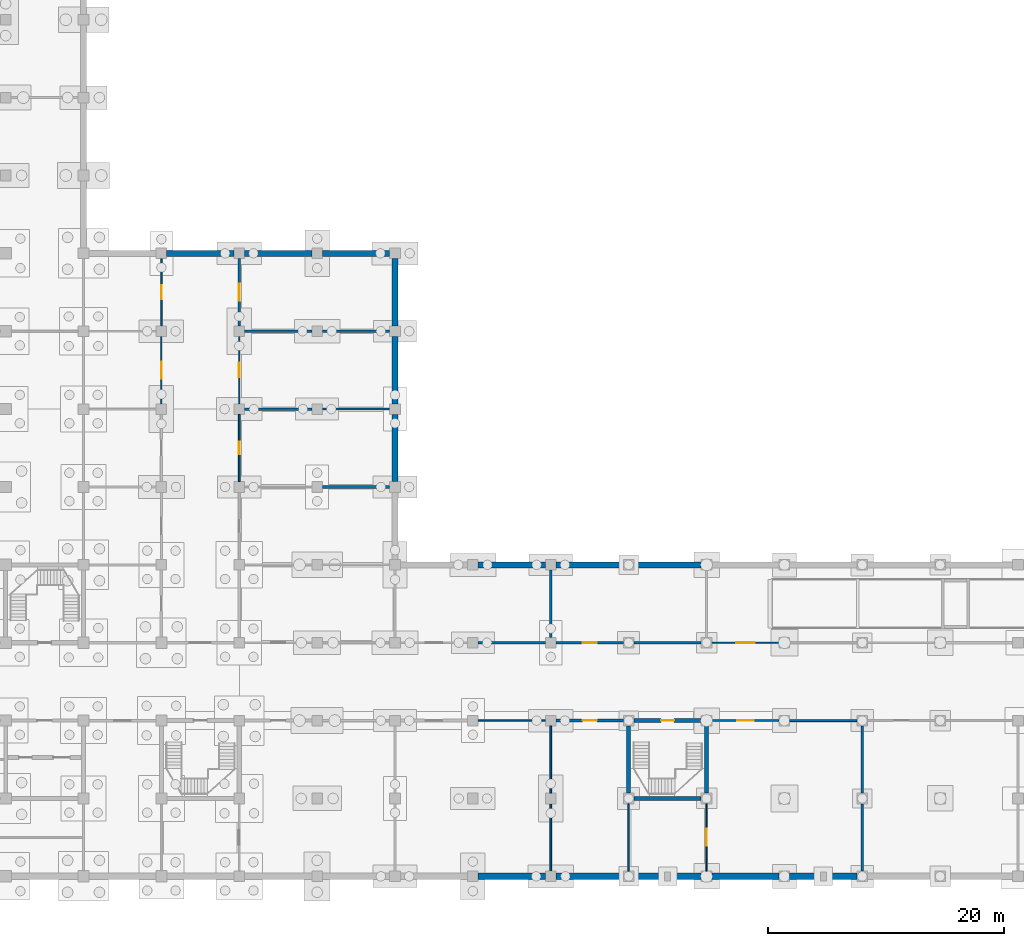
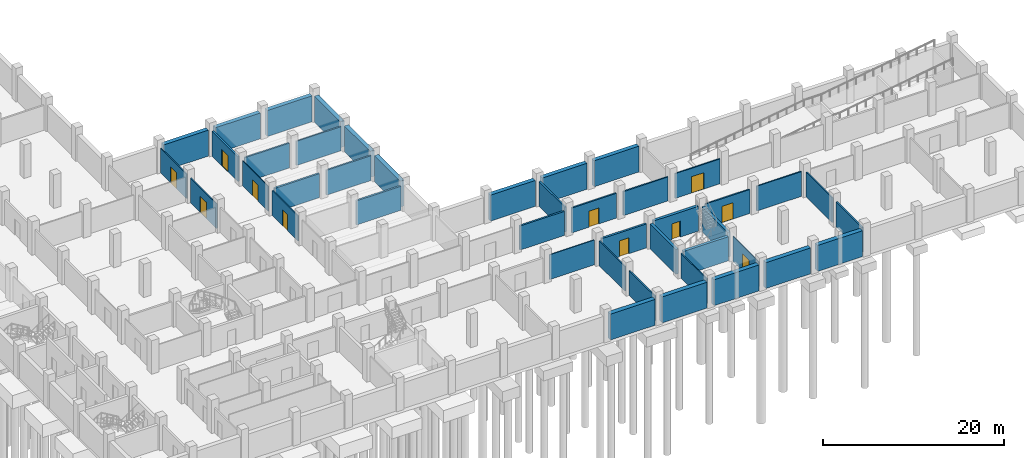
# One storey, part 10 of 18: 43 walls, 11 doors, 11 openings.
"""IFC4 building model written with IfcOpenShell, lengths in metres."""

from ifc_helpers import new_model, si_unit, direction, frame, frame_2d, origin, place, context, subcontext, project, spatial, rectangle, extrude, material, layer, layer_set, type_object, element, fill, save


model = new_model("IFC4")

# Units and contexts
model_context = context("Model", 3, precision=1e-05, world=origin(), true_north=direction((0.0, 1.0)))
body_context = subcontext(model_context, "Body", "Model", "MODEL_VIEW")
ifc_project = project(units=[si_unit("LENGTHUNIT", "METRE"), si_unit("AREAUNIT", "SQUARE_METRE"), si_unit("VOLUMEUNIT", "CUBIC_METRE"), si_unit("PLANEANGLEUNIT", "RADIAN"), si_unit("MASSUNIT", "GRAM", prefix="KILO")], contexts=[model_context])

# Site, building, storey
site_placement = place(None, origin())
site = spatial("IfcSite", under=ifc_project, at=site_placement, CompositionType="ELEMENT")
building_placement = place(site_placement, origin())
building = spatial("IfcBuilding", under=site, at=building_placement, Name="Rusizi Kubbe Research Institute", CompositionType="ELEMENT")
storey_placement = place(building_placement, frame((0.0, 0.0, -4.5)))
storey = spatial("IfcBuildingStorey", under=building, at=storey_placement, Name="B01", CompositionType="ELEMENT", Elevation=-4.5)

# Wall
ifc_material_1 = material(Name="Concrete C45/55", Category="concrete")
ifc_layer_1 = layer(ifc_material_1, 0.35009765625)
ifc_layer_set_1 = layer_set([ifc_layer_1], Name="Concrete C45/55")
wall_type_1 = type_object("IfcWallType", Name="CRW-01", PredefinedType="SHEAR", material=ifc_layer_set_1)
wall_1_placement = place(storey_placement, frame((73.050048828125, 6.60009765625, 0.0), z_axis=(0.0, 0.0, 1.0), x_axis=(1.0, 0.0, 0.0)))
element("IfcWall", 1, at=wall_1_placement, inside=storey, type_object=wall_type_1, Name="Stair Core Shear Wall ST7 B01 S", PredefinedType="SHEAR", context=body_context, shape_type="SweptSolid", body=[
    extrude(rectangle(XDim=5.699951171875, YDim=0.35009765625, at=frame_2d((2.85009765625, 0.0))), origin(), (0.0, 0.0, 1.0), 3.239990234375),
])

# Wall, opening, door
wall_2_placement = place(storey_placement, frame((73.050048828125, 13.199951171875, 0.0), z_axis=(0.0, 0.0, 1.0), x_axis=(1.0, 0.0, 0.0)))
wall_2 = element("IfcWall", 2, at=wall_2_placement, inside=storey, type_object=wall_type_1, Name="Stair Core Shear Wall ST7 B01 N", PredefinedType="SHEAR", context=body_context, shape_type="SweptSolid", body=[
    extrude(rectangle(XDim=5.699951171875, YDim=0.35009765625, at=frame_2d((2.85009765625, 0.0))), origin(), (0.0, 0.0, 1.0), 3.340087890625),
])
opening_1_placement = place(wall_2_placement, frame((2.300048828125, 0.0, 0.0)))
opening_1 = element("IfcOpeningElement", 3, at=opening_1_placement, cuts=wall_2, Name="Opening D-01", PredefinedType="OPENING", context=body_context, shape_type="SweptSolid", body=[
    extrude(rectangle(XDim=1.10009765625, YDim=2.14990234375, at=frame_2d((0.550048828125, 1.074951171875))), frame((0.0, 0.18505859375, 0.0), z_axis=(0.0, -1.0, 0.0), x_axis=(1.0, 0.0, 0.0)), (0.0, 0.0, 1.0), 0.3701171875),
])
ifc_material_2 = material(Name="Fire-Rated Steel Frame and Acoustic Timber Leaf", Category="wood")
door_type_1 = type_object("IfcDoorType", Name="ID-STAIR-110", OperationType="NOTDEFINED", PredefinedType="DOOR", material=ifc_material_2)
door_1_placement = place(opening_1_placement, origin())
door_1 = element("IfcDoor", 4, at=door_1_placement, inside=storey, type_object=door_type_1, Name="Exit Stair Door ST7 B01", OperationType="SINGLE_SWING_LEFT", OverallHeight=2.14990234375, OverallWidth=1.10009765625, PredefinedType="DOOR", context=body_context, shape_type="SweptSolid", body=[
    extrude(rectangle(XDim=1.10009765625, YDim=2.14990234375, at=frame_2d((0.550048828125, 1.074951171875))), frame((0.0, 0.02490234375, 0.0), z_axis=(0.0, -1.0, 0.0), x_axis=(1.0, 0.0, 0.0)), (0.0, 0.0, 1.0), 0.050048828125),
])
fill(opening_1, door_1)

# Walls
for number, where, z_axis, x_axis, name in (
    (5, (72.60009765625, 7.050048828125, 0.0), (0.0, 0.0, 1.0), (0.0, 1.0, 0.0), "Stair Core Shear Wall ST7 B01 W"),
    (6, (79.199951171875, 7.050048828125, 0.0), (0.0, 0.0, 1.0), (0.0, 1.0, 0.0), "Stair Core Shear Wall ST7 B01 E"),
):
    element("IfcWall", number, at=place(storey_placement, frame(where, z_axis=z_axis, x_axis=x_axis)), inside=storey, type_object=wall_type_1, Name=name, PredefinedType="SHEAR", context=body_context, shape_type="SweptSolid", body=[
        extrude(rectangle(XDim=5.699951171875, YDim=0.35009765625, at=frame_2d((2.85009765625, 0.0))), origin(), (0.0, 0.0, 1.0), 3.340087890625),
    ])

# Wall, opening, door
ifc_material_3 = material(Name="Concrete Blockwork Fire Partition", Category="masonry")
ifc_layer_2 = layer(ifc_material_3, 0.22509765625)
ifc_layer_set_2 = layer_set([ifc_layer_2], Name="Concrete Blockwork Fire Partition")
wall_type_2 = type_object("IfcWallType", Name="IW-01", PredefinedType="PARTITIONING", material=ifc_layer_set_2)
wall_3_placement = place(storey_placement, frame((39.60009765625, 46.64990234375, 0.0), z_axis=(0.0, 0.0, 1.0), x_axis=(0.0, 1.0, 0.0)))
wall_3 = element("IfcWall", 7, at=wall_3_placement, inside=storey, type_object=wall_type_2, Name="Interior Partition Wall B01 V6-7", PredefinedType="PARTITIONING", context=body_context, shape_type="SweptSolid", body=[
    extrude(rectangle(XDim=5.7001953125, YDim=0.22509765625, at=frame_2d((2.85009765625, 0.0))), origin(), (0.0, 0.0, 1.0), 3.340087890625),
])
opening_2_placement = place(wall_3_placement, frame((2.139892578125, 0.0, 0.0)))
opening_2 = element("IfcOpeningElement", 8, at=opening_2_placement, cuts=wall_3, Name="Opening D-22", PredefinedType="OPENING", context=body_context, shape_type="SweptSolid", body=[
    extrude(rectangle(XDim=1.419921875, YDim=2.199951171875, at=frame_2d((0.7099609375, 1.10009765625))), frame((0.0, 0.12255859375, 0.0), z_axis=(0.0, -1.0, 0.0), x_axis=(1.0, 0.0, 0.0)), (0.0, 0.0, 1.0), 0.2451171875),
])
ifc_material_4 = material(Name="Fire-Rated Steel Frame and Acoustic Timber Leaf", Category="wood")
door_type_2 = type_object("IfcDoorType", Name="ID-STR-142", OperationType="DOUBLE_DOOR_SINGLE_SWING", PredefinedType="DOOR", material=ifc_material_4)
door_2_placement = place(opening_2_placement, origin())
door_2 = element("IfcDoor", 9, at=door_2_placement, inside=storey, type_object=door_type_2, Name="Door to Atrium Seminar Room (B01-ELBE-07)", OperationType="DOUBLE_DOOR_SINGLE_SWING", OverallHeight=2.199951171875, OverallWidth=1.419921875, PredefinedType="DOOR", context=body_context, shape_type="SweptSolid", body=[
    extrude(rectangle(XDim=1.419921875, YDim=2.199951171875, at=frame_2d((0.7099609375, 1.10009765625))), frame((0.0, 0.02490234375, 0.0), z_axis=(0.0, -1.0, 0.0), x_axis=(1.0, 0.0, 0.0)), (0.0, 0.0, 1.0), 0.050048828125),
])
fill(opening_2, door_2)

# Walls
wall_4_placement = place(storey_placement, frame((40.050048828125, 39.60009765625, 0.0), z_axis=(0.0, 0.0, 1.0), x_axis=(1.0, 0.0, 0.0)))
element("IfcWall", 10, at=wall_4_placement, inside=storey, type_object=wall_type_2, Name="Interior Partition Wall B01 H6-6", PredefinedType="PARTITIONING", context=body_context, shape_type="SweptSolid", body=[
    extrude(rectangle(XDim=5.699951171875, YDim=0.22509765625, at=frame_2d((2.85009765625, 0.0))), origin(), (0.0, 0.0, 1.0), 3.239990234375),
])
wall_5_placement = place(storey_placement, frame((46.64990234375, 33.0, 0.0), z_axis=(0.0, 0.0, 1.0), x_axis=(1.0, 0.0, 0.0)))
element("IfcWall", 11, at=wall_5_placement, inside=storey, type_object=wall_type_2, Name="Interior Partition Wall B01 H7-5", PredefinedType="PARTITIONING", context=body_context, shape_type="SweptSolid", body=[
    extrude(rectangle(XDim=5.7001953125, YDim=0.22509765625, at=frame_2d((2.85009765625, 0.0))), origin(), (0.0, 0.0, 1.0), 3.239990234375),
])
wall_6_placement = place(storey_placement, frame((59.85009765625, 19.800048828125, 0.0), z_axis=(0.0, 0.0, 1.0), x_axis=(1.0, 0.0, 0.0)))
element("IfcWall", 12, at=wall_6_placement, inside=storey, type_object=wall_type_2, Name="Interior Partition Wall B01 H9-3", PredefinedType="PARTITIONING", context=body_context, shape_type="SweptSolid", body=[
    extrude(rectangle(XDim=5.699951171875, YDim=0.22509765625, at=frame_2d((2.85009765625, 0.0))), origin(), (0.0, 0.0, 1.0), 3.239990234375),
])
wall_7_placement = place(storey_placement, frame((66.0, 20.25, 0.0), z_axis=(0.0, 0.0, 1.0), x_axis=(0.0, 1.0, 0.0)))
element("IfcWall", 13, at=wall_7_placement, inside=storey, type_object=wall_type_2, Name="Interior Partition Wall B01 V10-3", PredefinedType="PARTITIONING", context=body_context, shape_type="SweptSolid", body=[
    extrude(rectangle(XDim=5.699951171875, YDim=0.22509765625, at=frame_2d((2.85009765625, 0.0))), origin(), (0.0, 0.0, 1.0), 3.340087890625),
])
ifc_material_5 = material(Name="Insulated Cleanroom Partition", Category="masonry")
ifc_layer_3 = layer(ifc_material_5, 0.195068359375)
ifc_layer_set_3 = layer_set([ifc_layer_3], Name="Insulated Cleanroom Partition")
wall_type_3 = type_object("IfcWallType", Name="IW-02", PredefinedType="PARTITIONING", material=ifc_layer_set_3)
wall_8_placement = place(storey_placement, frame((40.050048828125, 46.199951171875, 0.0), z_axis=(0.0, 0.0, 1.0), x_axis=(1.0, 0.0, 0.0)))
element("IfcWall", 14, at=wall_8_placement, inside=storey, type_object=wall_type_3, Name="Interior Partition Wall B01 H6-7", PredefinedType="PARTITIONING", context=body_context, shape_type="SweptSolid", body=[
    extrude(rectangle(XDim=5.699951171875, YDim=0.195068359375, at=frame_2d((2.85009765625, 0.0))), origin(), (0.0, 0.0, 1.0), 3.340087890625),
])
wall_9_placement = place(storey_placement, frame((46.64990234375, 39.60009765625, 0.0), z_axis=(0.0, 0.0, 1.0), x_axis=(1.0, 0.0, 0.0)))
element("IfcWall", 15, at=wall_9_placement, inside=storey, type_object=wall_type_3, Name="Interior Partition Wall B01 H7-6", PredefinedType="PARTITIONING", context=body_context, shape_type="SweptSolid", body=[
    extrude(rectangle(XDim=5.7001953125, YDim=0.195068359375, at=frame_2d((2.85009765625, 0.0))), origin(), (0.0, 0.0, 1.0), 3.340087890625),
])

# Wall, opening, door
wall_10_placement = place(storey_placement, frame((66.449951171875, 19.800048828125, 0.0), z_axis=(0.0, 0.0, 1.0), x_axis=(1.0, 0.0, 0.0)))
wall_10 = element("IfcWall", 16, at=wall_10_placement, inside=storey, type_object=wall_type_3, Name="Interior Partition Wall B01 H10-3", PredefinedType="PARTITIONING", context=body_context, shape_type="SweptSolid", body=[
    extrude(rectangle(XDim=5.699951171875, YDim=0.195068359375, at=frame_2d((2.85009765625, 0.0))), origin(), (0.0, 0.0, 1.0), 3.340087890625),
])
opening_3_placement = place(wall_10_placement, frame((2.239990234375, 0.0, 0.0)))
opening_3 = element("IfcOpeningElement", 17, at=opening_3_placement, cuts=wall_10, Name="Opening D-21", PredefinedType="OPENING", context=body_context, shape_type="SweptSolid", body=[
    extrude(rectangle(XDim=1.219970703125, YDim=2.14990234375, at=frame_2d((0.60986328125, 1.074951171875))), frame((0.0, 0.107421875, 0.0), z_axis=(0.0, -1.0, 0.0), x_axis=(1.0, 0.0, 0.0)), (0.0, 0.0, 1.0), 0.215087890625),
])
ifc_material_6 = material(Name="Fire-Rated Steel Frame and Acoustic Timber Leaf", Category="wood")
door_type_3 = type_object("IfcDoorType", Name="ID-STR-122", OperationType="NOTDEFINED", PredefinedType="DOOR", material=ifc_material_6)
door_3_placement = place(opening_3_placement, origin())
door_3 = element("IfcDoor", 18, at=door_3_placement, inside=storey, type_object=door_type_3, Name="Door to Electrical and Mechanical Plant Room (B01-EWN-02)", OperationType="SINGLE_SWING_RIGHT", OverallHeight=2.14990234375, OverallWidth=1.219970703125, PredefinedType="DOOR", context=body_context, shape_type="SweptSolid", body=[
    extrude(rectangle(XDim=1.219970703125, YDim=2.14990234375, at=frame_2d((0.60986328125, 1.074951171875))), frame((0.0, 0.02490234375, 0.0), z_axis=(0.0, -1.0, 0.0), x_axis=(1.0, 0.0, 0.0)), (0.0, 0.0, 1.0), 0.050048828125),
])
fill(opening_3, door_3)

# Walls
wall_11_placement = place(storey_placement, frame((92.39990234375, 0.449951171875, 0.0), z_axis=(0.0, 0.0, 1.0), x_axis=(0.0, 1.0, 0.0)))
element("IfcWall", 19, at=wall_11_placement, inside=storey, type_object=wall_type_3, Name="Interior Partition Wall B01 V14-0", PredefinedType="PARTITIONING", context=body_context, shape_type="SweptSolid", body=[
    extrude(rectangle(XDim=5.699951171875, YDim=0.195068359375, at=frame_2d((2.85009765625, 0.0))), origin(), (0.0, 0.0, 1.0), 3.340087890625),
])
ifc_material_7 = material(Name="Acoustic Laboratory Partition", Category="masonry")
ifc_layer_4 = layer(ifc_material_7, 0.175048828125)
ifc_layer_set_4 = layer_set([ifc_layer_4], Name="Acoustic Laboratory Partition")
wall_type_4 = type_object("IfcWallType", Name="IW-03", PredefinedType="PARTITIONING", material=ifc_layer_set_4)
wall_12_placement = place(storey_placement, frame((46.64990234375, 46.199951171875, 0.0), z_axis=(0.0, 0.0, 1.0), x_axis=(1.0, 0.0, 0.0)))
element("IfcWall", 20, at=wall_12_placement, inside=storey, type_object=wall_type_4, Name="Interior Partition Wall B01 H7-7", PredefinedType="PARTITIONING", context=body_context, shape_type="SweptSolid", body=[
    extrude(rectangle(XDim=5.7001953125, YDim=0.175048828125, at=frame_2d((2.85009765625, 0.0))), origin(), (0.0, 0.0, 1.0), 3.239990234375),
])
wall_13_placement = place(storey_placement, frame((73.050048828125, 19.800048828125, 0.0), z_axis=(0.0, 0.0, 1.0), x_axis=(1.0, 0.0, 0.0)))
element("IfcWall", 21, at=wall_13_placement, inside=storey, type_object=wall_type_4, Name="Interior Partition Wall B01 H11-3", PredefinedType="PARTITIONING", context=body_context, shape_type="SweptSolid", body=[
    extrude(rectangle(XDim=5.699951171875, YDim=0.175048828125, at=frame_2d((2.85009765625, 0.0))), origin(), (0.0, 0.0, 1.0), 3.239990234375),
])

# Wall, opening, door
wall_14_placement = place(storey_placement, frame((79.64990234375, 13.199951171875, 0.0), z_axis=(0.0, 0.0, 1.0), x_axis=(1.0, 0.0, 0.0)))
wall_14 = element("IfcWall", 22, at=wall_14_placement, inside=storey, type_object=wall_type_4, Name="Interior Partition Wall B01 H12-2", PredefinedType="PARTITIONING", context=body_context, shape_type="SweptSolid", body=[
    extrude(rectangle(XDim=5.7001953125, YDim=0.175048828125, at=frame_2d((2.85009765625, 0.0))), origin(), (0.0, 0.0, 1.0), 3.239990234375),
])
opening_4_placement = place(wall_14_placement, frame((2.139892578125, 0.0, 0.0)))
opening_4 = element("IfcOpeningElement", 23, at=opening_4_placement, cuts=wall_14, Name="Opening D-22", PredefinedType="OPENING", context=body_context, shape_type="SweptSolid", body=[
    extrude(rectangle(XDim=1.419921875, YDim=2.199951171875, at=frame_2d((0.7099609375, 1.10009765625))), frame((0.0, 0.097412109375, 0.0), z_axis=(0.0, -1.0, 0.0), x_axis=(1.0, 0.0, 0.0)), (0.0, 0.0, 1.0), 0.195068359375),
])
door_4_placement = place(opening_4_placement, origin())
door_4 = element("IfcDoor", 24, at=door_4_placement, inside=storey, type_object=door_type_2, Name="Door to Basement Parking and Ramp Arrival Zone (B01-EWS-05)", OperationType="DOUBLE_DOOR_SINGLE_SWING", OverallHeight=2.199951171875, OverallWidth=1.419921875, PredefinedType="DOOR", context=body_context, shape_type="SweptSolid", body=[
    extrude(rectangle(XDim=1.419921875, YDim=2.199951171875, at=frame_2d((0.7099609375, 1.10009765625))), frame((0.0, 0.02490234375, 0.0), z_axis=(0.0, -1.0, 0.0), x_axis=(1.0, 0.0, 0.0)), (0.0, 0.0, 1.0), 0.050048828125),
])
fill(opening_4, door_4)

# Walls
wall_15_placement = place(storey_placement, frame((92.39990234375, 7.050048828125, 0.0), z_axis=(0.0, 0.0, 1.0), x_axis=(0.0, 1.0, 0.0)))
element("IfcWall", 25, at=wall_15_placement, inside=storey, type_object=wall_type_4, Name="Interior Partition Wall B01 V14-1", PredefinedType="PARTITIONING", context=body_context, shape_type="SweptSolid", body=[
    extrude(rectangle(XDim=5.699951171875, YDim=0.175048828125, at=frame_2d((2.85009765625, 0.0))), origin(), (0.0, 0.0, 1.0), 3.340087890625),
])
ifc_material_8 = material(Name="Fire-Rated Corridor Partition", Category="masonry")
ifc_layer_5 = layer(ifc_material_8, 0.155029296875)
ifc_layer_set_5 = layer_set([ifc_layer_5], Name="Fire-Rated Corridor Partition")
wall_type_5 = type_object("IfcWallType", Name="IW-04", PredefinedType="PARTITIONING", material=ifc_layer_set_5)
wall_16_placement = place(storey_placement, frame((66.0, 0.449951171875, 0.0), z_axis=(0.0, 0.0, 1.0), x_axis=(0.0, 1.0, 0.0)))
element("IfcWall", 26, at=wall_16_placement, inside=storey, type_object=wall_type_5, Name="Interior Partition Wall B01 V10-0", PredefinedType="PARTITIONING", context=body_context, shape_type="SweptSolid", body=[
    extrude(rectangle(XDim=5.699951171875, YDim=0.155029296875, at=frame_2d((2.85009765625, 0.0))), origin(), (0.0, 0.0, 1.0), 3.340087890625),
])

# Wall, opening, door
wall_17_placement = place(storey_placement, frame((79.64990234375, 19.800048828125, 0.0), z_axis=(0.0, 0.0, 1.0), x_axis=(1.0, 0.0, 0.0)))
wall_17 = element("IfcWall", 27, at=wall_17_placement, inside=storey, type_object=wall_type_5, Name="Interior Partition Wall B01 H12-3", PredefinedType="PARTITIONING", context=body_context, shape_type="SweptSolid", body=[
    extrude(rectangle(XDim=5.7001953125, YDim=0.155029296875, at=frame_2d((2.85009765625, 0.0))), origin(), (0.0, 0.0, 1.0), 3.340087890625),
])
opening_5_placement = place(wall_17_placement, frame((2.050048828125, 0.0, 0.0)))
opening_5 = element("IfcOpeningElement", 28, at=opening_5_placement, cuts=wall_17, Name="Opening D-10", PredefinedType="OPENING", context=body_context, shape_type="SweptSolid", body=[
    extrude(rectangle(XDim=1.60009765625, YDim=2.199951171875, at=frame_2d((0.800048828125, 1.10009765625))), frame((0.0, 0.08740234375, 0.0), z_axis=(0.0, -1.0, 0.0), x_axis=(1.0, 0.0, 0.0)), (0.0, 0.0, 1.0), 0.175048828125),
])
ifc_material_9 = material(Name="Fire-Rated Steel Frame and Acoustic Timber Leaf", Category="wood")
door_type_4 = type_object("IfcDoorType", Name="ID-DBL-160", OperationType="DOUBLE_DOOR_SINGLE_SWING", PredefinedType="DOOR", material=ifc_material_9)
door_5_placement = place(opening_5_placement, origin())
door_5 = element("IfcDoor", 29, at=door_5_placement, inside=storey, type_object=door_type_4, Name="Door to Basement Vehicle Ramp Approach Zone (B01-VRMP-01)", OperationType="DOUBLE_DOOR_SINGLE_SWING", OverallHeight=2.199951171875, OverallWidth=1.60009765625, PredefinedType="DOOR", context=body_context, shape_type="SweptSolid", body=[
    extrude(rectangle(XDim=1.60009765625, YDim=2.199951171875, at=frame_2d((0.800048828125, 1.10009765625))), frame((0.0, 0.02490234375, 0.0), z_axis=(0.0, -1.0, 0.0), x_axis=(1.0, 0.0, 0.0)), (0.0, 0.0, 1.0), 0.050048828125),
])
fill(opening_5, door_5)

# Wall
wall_18_placement = place(storey_placement, frame((86.25, 13.199951171875, 0.0), z_axis=(0.0, 0.0, 1.0), x_axis=(1.0, 0.0, 0.0)))
element("IfcWall", 30, at=wall_18_placement, inside=storey, type_object=wall_type_5, Name="Interior Partition Wall B01 H13-2", PredefinedType="PARTITIONING", context=body_context, shape_type="SweptSolid", body=[
    extrude(rectangle(XDim=5.699951171875, YDim=0.155029296875, at=frame_2d((2.85009765625, 0.0))), origin(), (0.0, 0.0, 1.0), 3.340087890625),
])

# Wall, opening, door
ifc_material_10 = material(Name="Write-up Glazed Acoustic Partition", Category="masonry")
ifc_layer_6 = layer(ifc_material_10, 0.139892578125)
ifc_layer_set_6 = layer_set([ifc_layer_6], Name="Write-up Glazed Acoustic Partition")
wall_type_6 = type_object("IfcWallType", Name="IW-05", PredefinedType="PARTITIONING", material=ifc_layer_set_6)
wall_19_placement = place(storey_placement, frame((33.0, 40.050048828125, 0.0), z_axis=(0.0, 0.0, 1.0), x_axis=(0.0, 1.0, 0.0)))
wall_19 = element("IfcWall", 31, at=wall_19_placement, inside=storey, type_object=wall_type_6, Name="Interior Partition Wall B01 V5-6", PredefinedType="PARTITIONING", context=body_context, shape_type="SweptSolid", body=[
    extrude(rectangle(XDim=5.699951171875, YDim=0.139892578125, at=frame_2d((2.85009765625, 0.0))), origin(), (0.0, 0.0, 1.0), 3.340087890625),
])
opening_6_placement = place(wall_19_placement, frame((2.139892578125, 0.0, 0.0)))
opening_6 = element("IfcOpeningElement", 32, at=opening_6_placement, cuts=wall_19, Name="Opening D-22", PredefinedType="OPENING", context=body_context, shape_type="SweptSolid", body=[
    extrude(rectangle(XDim=1.419921875, YDim=2.199951171875, at=frame_2d((0.7099609375, 1.10009765625))), frame((0.0, 0.079833984375, 0.0), z_axis=(0.0, -1.0, 0.0), x_axis=(1.0, 0.0, 0.0)), (0.0, 0.0, 1.0), 0.159912109375),
])
door_6_placement = place(opening_6_placement, origin())
door_6 = element("IfcDoor", 33, at=door_6_placement, inside=storey, type_object=door_type_2, Name="Door to Sub-Fab Equipment Room (B01-ELBW-06)", OperationType="DOUBLE_DOOR_SINGLE_SWING", OverallHeight=2.199951171875, OverallWidth=1.419921875, PredefinedType="DOOR", context=body_context, shape_type="SweptSolid", body=[
    extrude(rectangle(XDim=1.419921875, YDim=2.199951171875, at=frame_2d((0.7099609375, 1.10009765625))), frame((0.0, 0.02490234375, 0.0), z_axis=(0.0, -1.0, 0.0), x_axis=(1.0, 0.0, 0.0)), (0.0, 0.0, 1.0), 0.050048828125),
])
fill(opening_6, door_6)

wall_20_placement = place(storey_placement, frame((39.60009765625, 33.449951171875, 0.0), z_axis=(0.0, 0.0, 1.0), x_axis=(0.0, 1.0, 0.0)))
wall_20 = element("IfcWall", 34, at=wall_20_placement, inside=storey, type_object=wall_type_6, Name="Interior Partition Wall B01 V6-5", PredefinedType="PARTITIONING", context=body_context, shape_type="SweptSolid", body=[
    extrude(rectangle(XDim=5.699951171875, YDim=0.139892578125, at=frame_2d((2.85009765625, 0.0))), origin(), (0.0, 0.0, 1.0), 3.340087890625),
])
opening_7_placement = place(wall_20_placement, frame((2.324951171875, 0.0, 0.0)))
opening_7 = element("IfcOpeningElement", 35, at=opening_7_placement, cuts=wall_20, Name="Opening D-16", PredefinedType="OPENING", context=body_context, shape_type="SweptSolid", body=[
    extrude(rectangle(XDim=1.050048828125, YDim=2.14990234375, at=frame_2d((0.52490234375, 1.074951171875))), frame((0.0, 0.079833984375, 0.0), z_axis=(0.0, -1.0, 0.0), x_axis=(1.0, 0.0, 0.0)), (0.0, 0.0, 1.0), 0.159912109375),
])
ifc_material_11 = material(Name="Fire-Rated Steel Frame and Acoustic Timber Leaf", Category="wood")
door_type_5 = type_object("IfcDoorType", Name="ID-OFF-105", OperationType="NOTDEFINED", PredefinedType="DOOR", material=ifc_material_11)
door_7_placement = place(opening_7_placement, origin())
door_7 = element("IfcDoor", 36, at=door_7_placement, inside=storey, type_object=door_type_5, Name="Door to Write-up Office (B01-ELBE-05)", OperationType="SINGLE_SWING_LEFT", OverallHeight=2.14990234375, OverallWidth=1.050048828125, PredefinedType="DOOR", context=body_context, shape_type="SweptSolid", body=[
    extrude(rectangle(XDim=1.050048828125, YDim=2.14990234375, at=frame_2d((0.52490234375, 1.074951171875))), frame((0.0, 0.02490234375, 0.0), z_axis=(0.0, -1.0, 0.0), x_axis=(1.0, 0.0, 0.0)), (0.0, 0.0, 1.0), 0.050048828125),
])
fill(opening_7, door_7)

# Walls
for number, where, z_axis, x_axis, name in (
    (37, (66.0, 7.050048828125, 0.0), (0.0, 0.0, 1.0), (0.0, 1.0, 0.0), "Interior Partition Wall B01 V10-1"),
    (38, (72.60009765625, 0.449951171875, 0.0), (0.0, 0.0, 1.0), (0.0, 1.0, 0.0), "Interior Partition Wall B01 V11-0"),
):
    element("IfcWall", number, at=place(storey_placement, frame(where, z_axis=z_axis, x_axis=x_axis)), inside=storey, type_object=wall_type_6, Name=name, PredefinedType="PARTITIONING", context=body_context, shape_type="SweptSolid", body=[
        extrude(rectangle(XDim=5.699951171875, YDim=0.139892578125, at=frame_2d((2.85009765625, 0.0))), origin(), (0.0, 0.0, 1.0), 3.340087890625),
    ])

# Wall, opening, door
ifc_material_12 = material(Name="Sub-Suite Fire Partition", Category="masonry")
ifc_layer_7 = layer(ifc_material_12, 0.110107421875)
ifc_layer_set_7 = layer_set([ifc_layer_7], Name="Sub-Suite Fire Partition")
wall_type_7 = type_object("IfcWallType", Name="IW-07", PredefinedType="PARTITIONING", material=ifc_layer_set_7)
wall_21_placement = place(storey_placement, frame((33.0, 46.64990234375, 0.0), z_axis=(0.0, 0.0, 1.0), x_axis=(0.0, 1.0, 0.0)))
wall_21 = element("IfcWall", 39, at=wall_21_placement, inside=storey, type_object=wall_type_7, Name="Interior Partition Wall B01 V5-7", PredefinedType="PARTITIONING", context=body_context, shape_type="SweptSolid", body=[
    extrude(rectangle(XDim=5.7001953125, YDim=0.110107421875, at=frame_2d((2.85009765625, 0.0))), origin(), (0.0, 0.0, 1.0), 3.340087890625),
])
opening_8_placement = place(wall_21_placement, frame((2.239990234375, 0.0, 0.0)))
opening_8 = element("IfcOpeningElement", 40, at=opening_8_placement, cuts=wall_21, Name="Opening D-21", PredefinedType="OPENING", context=body_context, shape_type="SweptSolid", body=[
    extrude(rectangle(XDim=1.219970703125, YDim=2.14990234375, at=frame_2d((0.60986328125, 1.074951171875))), frame((0.0, 0.06494140625, 0.0), z_axis=(0.0, -1.0, 0.0), x_axis=(1.0, 0.0, 0.0)), (0.0, 0.0, 1.0), 0.130126953125),
])
door_8_placement = place(opening_8_placement, origin())
door_8 = element("IfcDoor", 41, at=door_8_placement, inside=storey, type_object=door_type_3, Name="Door to Sub-Fab Equipment Room (B01-ELBW-07)", OperationType="SINGLE_SWING_RIGHT", OverallHeight=2.14990234375, OverallWidth=1.219970703125, PredefinedType="DOOR", context=body_context, shape_type="SweptSolid", body=[
    extrude(rectangle(XDim=1.219970703125, YDim=2.14990234375, at=frame_2d((0.60986328125, 1.074951171875))), frame((0.0, 0.02490234375, 0.0), z_axis=(0.0, -1.0, 0.0), x_axis=(1.0, 0.0, 0.0)), (0.0, 0.0, 1.0), 0.050048828125),
])
fill(opening_8, door_8)

wall_22_placement = place(storey_placement, frame((39.60009765625, 40.050048828125, 0.0), z_axis=(0.0, 0.0, 1.0), x_axis=(0.0, 1.0, 0.0)))
wall_22 = element("IfcWall", 42, at=wall_22_placement, inside=storey, type_object=wall_type_7, Name="Interior Partition Wall B01 V6-6", PredefinedType="PARTITIONING", context=body_context, shape_type="SweptSolid", body=[
    extrude(rectangle(XDim=5.699951171875, YDim=0.110107421875, at=frame_2d((2.85009765625, 0.0))), origin(), (0.0, 0.0, 1.0), 3.340087890625),
])
opening_9_placement = place(wall_22_placement, frame((2.239990234375, 0.0, 0.0)))
opening_9 = element("IfcOpeningElement", 43, at=opening_9_placement, cuts=wall_22, Name="Opening D-21", PredefinedType="OPENING", context=body_context, shape_type="SweptSolid", body=[
    extrude(rectangle(XDim=1.219970703125, YDim=2.14990234375, at=frame_2d((0.60986328125, 1.074951171875))), frame((0.0, 0.06494140625, 0.0), z_axis=(0.0, -1.0, 0.0), x_axis=(1.0, 0.0, 0.0)), (0.0, 0.0, 1.0), 0.130126953125),
])
door_9_placement = place(opening_9_placement, origin())
door_9 = element("IfcDoor", 44, at=door_9_placement, inside=storey, type_object=door_type_3, Name="Door to Atrium Seminar Room (B01-ELBE-06)", OperationType="SINGLE_SWING_RIGHT", OverallHeight=2.14990234375, OverallWidth=1.219970703125, PredefinedType="DOOR", context=body_context, shape_type="SweptSolid", body=[
    extrude(rectangle(XDim=1.219970703125, YDim=2.14990234375, at=frame_2d((0.60986328125, 1.074951171875))), frame((0.0, 0.02490234375, 0.0), z_axis=(0.0, -1.0, 0.0), x_axis=(1.0, 0.0, 0.0)), (0.0, 0.0, 1.0), 0.050048828125),
])
fill(opening_9, door_9)

# Wall
wall_23_placement = place(storey_placement, frame((59.85009765625, 13.199951171875, 0.0), z_axis=(0.0, 0.0, 1.0), x_axis=(1.0, 0.0, 0.0)))
element("IfcWall", 45, at=wall_23_placement, inside=storey, type_object=wall_type_7, Name="Interior Partition Wall B01 H9-2", PredefinedType="PARTITIONING", context=body_context, shape_type="SweptSolid", body=[
    extrude(rectangle(XDim=5.699951171875, YDim=0.110107421875, at=frame_2d((2.85009765625, 0.0))), origin(), (0.0, 0.0, 1.0), 3.340087890625),
])

# Wall, opening, door
wall_24_placement = place(storey_placement, frame((79.199951171875, 0.449951171875, 0.0), z_axis=(0.0, 0.0, 1.0), x_axis=(0.0, 1.0, 0.0)))
wall_24 = element("IfcWall", 46, at=wall_24_placement, inside=storey, type_object=wall_type_7, Name="Interior Partition Wall B01 V12-0", PredefinedType="PARTITIONING", context=body_context, shape_type="SweptSolid", body=[
    extrude(rectangle(XDim=5.699951171875, YDim=0.110107421875, at=frame_2d((2.85009765625, 0.0))), origin(), (0.0, 0.0, 1.0), 3.340087890625),
])
opening_10_placement = place(wall_24_placement, frame((2.125, 0.0, 0.0)))
opening_10 = element("IfcOpeningElement", 47, at=opening_10_placement, cuts=wall_24, Name="Opening D-11", PredefinedType="OPENING", context=body_context, shape_type="SweptSolid", body=[
    extrude(rectangle(XDim=1.449951171875, YDim=2.25, at=frame_2d((0.72509765625, 1.125))), frame((0.0, 0.06494140625, 0.0), z_axis=(0.0, -1.0, 0.0), x_axis=(1.0, 0.0, 0.0)), (0.0, 0.0, 1.0), 0.130126953125),
])
ifc_material_13 = material(Name="Fire-Rated Steel Frame and Acoustic Timber Leaf", Category="wood")
door_type_6 = type_object("IfcDoorType", Name="ID-LAB-145", OperationType="NOTDEFINED", PredefinedType="DOOR", material=ifc_material_13)
door_10_placement = place(opening_10_placement, origin())
door_10 = element("IfcDoor", 48, at=door_10_placement, inside=storey, type_object=door_type_6, Name="Door to Laboratory Instrument Support Room (B01-EWU-11)", OperationType="SINGLE_SWING_LEFT", OverallHeight=2.25, OverallWidth=1.449951171875, PredefinedType="DOOR", context=body_context, shape_type="SweptSolid", body=[
    extrude(rectangle(XDim=1.449951171875, YDim=2.25, at=frame_2d((0.72509765625, 1.125))), frame((0.0, 0.02490234375, 0.0), z_axis=(0.0, -1.0, 0.0), x_axis=(1.0, 0.0, 0.0)), (0.0, 0.0, 1.0), 0.050048828125),
])
fill(opening_10, door_10)

# Walls
ifc_material_14 = material(Name="Concrete C45/55", Category="concrete")
ifc_layer_8 = layer(ifc_material_14, 0.56005859375)
ifc_layer_set_8 = layer_set([ifc_layer_8], Name="Concrete C45/55")
wall_type_8 = type_object("IfcWallType", Name="RW-01", PredefinedType="USERDEFINED", material=ifc_layer_set_8)
for number, where, z_axis, x_axis, name in (
    (49, (59.85009765625, 0.0, 0.0), (0.0, 0.0, 1.0), (1.0, 0.0, 0.0), "Basement Retaining Wall B01 H9-0"),
    (50, (66.449951171875, 0.0, 0.0), (0.0, 0.0, 1.0), (1.0, 0.0, 0.0), "Basement Retaining Wall B01 H10-0"),
    (51, (73.050048828125, 0.0, 0.0), (0.0, 0.0, 1.0), (1.0, 0.0, 0.0), "Basement Retaining Wall B01 H11-0"),
):
    element("IfcWall", number, at=place(storey_placement, frame(where, z_axis=z_axis, x_axis=x_axis)), inside=storey, type_object=wall_type_8, Name=name, ObjectType="RETAINING WALL", PredefinedType="USERDEFINED", context=body_context, shape_type="SweptSolid", body=[
        extrude(rectangle(XDim=5.699951171875, YDim=0.56005859375, at=frame_2d((2.85009765625, 0.0))), origin(), (0.0, 0.0, 1.0), 3.489990234375),
    ])
wall_25_placement = place(storey_placement, frame((79.64990234375, 0.0, 0.0), z_axis=(0.0, 0.0, 1.0), x_axis=(1.0, 0.0, 0.0)))
element("IfcWall", 52, at=wall_25_placement, inside=storey, type_object=wall_type_8, Name="Basement Retaining Wall B01 H12-0", ObjectType="RETAINING WALL", PredefinedType="USERDEFINED", context=body_context, shape_type="SweptSolid", body=[
    extrude(rectangle(XDim=5.7001953125, YDim=0.56005859375, at=frame_2d((2.85009765625, 0.0))), origin(), (0.0, 0.0, 1.0), 3.489990234375),
])
wall_26_placement = place(storey_placement, frame((86.25, 0.0, 0.0), z_axis=(0.0, 0.0, 1.0), x_axis=(1.0, 0.0, 0.0)))
element("IfcWall", 53, at=wall_26_placement, inside=storey, type_object=wall_type_8, Name="Basement Retaining Wall B01 H13-0", ObjectType="RETAINING WALL", PredefinedType="USERDEFINED", context=body_context, shape_type="SweptSolid", body=[
    extrude(rectangle(XDim=5.699951171875, YDim=0.56005859375, at=frame_2d((2.85009765625, 0.0))), origin(), (0.0, 0.0, 1.0), 3.489990234375),
])
ifc_material_15 = material(Name="Concrete C45/55", Category="concrete")
ifc_layer_9 = layer(ifc_material_15, 0.52001953125)
ifc_layer_set_9 = layer_set([ifc_layer_9], Name="Concrete C45/55")
wall_type_9 = type_object("IfcWallType", Name="RW-02", PredefinedType="USERDEFINED", material=ifc_layer_set_9)
for number, where, z_axis, x_axis, name in (
    (54, (33.449951171875, 52.800048828125, 0.0), (0.0, 0.0, 1.0), (1.0, 0.0, 0.0), "Basement Retaining Wall B01 H5-8"),
    (55, (40.050048828125, 52.800048828125, 0.0), (0.0, 0.0, 1.0), (1.0, 0.0, 0.0), "Basement Retaining Wall B01 H6-8"),
    (56, (52.800048828125, 33.449951171875, 0.0), (0.0, 0.0, 1.0), (0.0, 1.0, 0.0), "Basement Retaining Wall B01 V8-5"),
    (57, (52.800048828125, 40.050048828125, 0.0), (0.0, 0.0, 1.0), (0.0, 1.0, 0.0), "Basement Retaining Wall B01 V8-6"),
):
    element("IfcWall", number, at=place(storey_placement, frame(where, z_axis=z_axis, x_axis=x_axis)), inside=storey, type_object=wall_type_9, Name=name, ObjectType="RETAINING WALL", PredefinedType="USERDEFINED", context=body_context, shape_type="SweptSolid", body=[
        extrude(rectangle(XDim=5.699951171875, YDim=0.52001953125, at=frame_2d((2.85009765625, 0.0))), origin(), (0.0, 0.0, 1.0), 3.489990234375),
    ])
for number, where, z_axis, x_axis, name in (
    (58, (46.64990234375, 52.800048828125, 0.0), (0.0, 0.0, 1.0), (1.0, 0.0, 0.0), "Basement Retaining Wall B01 H7-8"),
    (59, (52.800048828125, 46.64990234375, 0.0), (0.0, 0.0, 1.0), (0.0, 1.0, 0.0), "Basement Retaining Wall B01 V8-7"),
):
    element("IfcWall", number, at=place(storey_placement, frame(where, z_axis=z_axis, x_axis=x_axis)), inside=storey, type_object=wall_type_9, Name=name, ObjectType="RETAINING WALL", PredefinedType="USERDEFINED", context=body_context, shape_type="SweptSolid", body=[
        extrude(rectangle(XDim=5.7001953125, YDim=0.52001953125, at=frame_2d((2.85009765625, 0.0))), origin(), (0.0, 0.0, 1.0), 3.489990234375),
    ])
for number, where, z_axis, x_axis, name in (
    (60, (59.85009765625, 26.39990234375, 0.0), (0.0, 0.0, 1.0), (1.0, 0.0, 0.0), "Basement Retaining Wall B01 H9-4"),
    (61, (66.449951171875, 26.39990234375, 0.0), (0.0, 0.0, 1.0), (1.0, 0.0, 0.0), "Basement Retaining Wall B01 H10-4"),
    (62, (73.050048828125, 26.39990234375, 0.0), (0.0, 0.0, 1.0), (1.0, 0.0, 0.0), "Basement Retaining Wall B01 H11-4"),
):
    element("IfcWall", number, at=place(storey_placement, frame(where, z_axis=z_axis, x_axis=x_axis)), inside=storey, type_object=wall_type_9, Name=name, ObjectType="RETAINING WALL", PredefinedType="USERDEFINED", context=body_context, shape_type="SweptSolid", body=[
        extrude(rectangle(XDim=5.699951171875, YDim=0.52001953125, at=frame_2d((2.85009765625, 0.0))), origin(), (0.0, 0.0, 1.0), 3.489990234375),
    ])

# Wall, opening, door
ifc_material_16 = material(Name="Concrete C40/50", Category="concrete")
ifc_layer_10 = layer(ifc_material_16, 0.2548828125)
ifc_layer_set_10 = layer_set([ifc_layer_10], Name="Concrete C40/50")
wall_type_10 = type_object("IfcWallType", Name="SHW-02", PredefinedType="SHEAR", material=ifc_layer_set_10)
wall_27_placement = place(storey_placement, frame((66.449951171875, 13.199951171875, 0.0), z_axis=(0.0, 0.0, 1.0), x_axis=(1.0, 0.0, 0.0)))
wall_27 = element("IfcWall", 63, at=wall_27_placement, inside=storey, type_object=wall_type_10, Name="Interior Partition Wall B01 H10-2", PredefinedType="SHEAR", context=body_context, shape_type="SweptSolid", body=[
    extrude(rectangle(XDim=5.699951171875, YDim=0.2548828125, at=frame_2d((2.85009765625, 0.0))), origin(), (0.0, 0.0, 1.0), 3.239990234375),
])
opening_11_placement = place(wall_27_placement, frame((2.239990234375, 0.0, 0.0)))
opening_11 = element("IfcOpeningElement", 64, at=opening_11_placement, cuts=wall_27, Name="Opening D-21", PredefinedType="OPENING", context=body_context, shape_type="SweptSolid", body=[
    extrude(rectangle(XDim=1.219970703125, YDim=2.14990234375, at=frame_2d((0.60986328125, 1.074951171875))), frame((0.0, 0.137451171875, 0.0), z_axis=(0.0, -1.0, 0.0), x_axis=(1.0, 0.0, 0.0)), (0.0, 0.0, 1.0), 0.27490234375),
])
door_11_placement = place(opening_11_placement, origin())
door_11 = element("IfcDoor", 65, at=door_11_placement, inside=storey, type_object=door_type_3, Name="Door to Basement Parking and Ramp Arrival Zone (B01-EWS-04)", OperationType="SINGLE_SWING_RIGHT", OverallHeight=2.14990234375, OverallWidth=1.219970703125, PredefinedType="DOOR", context=body_context, shape_type="SweptSolid", body=[
    extrude(rectangle(XDim=1.219970703125, YDim=2.14990234375, at=frame_2d((0.60986328125, 1.074951171875))), frame((0.0, 0.02490234375, 0.0), z_axis=(0.0, -1.0, 0.0), x_axis=(1.0, 0.0, 0.0)), (0.0, 0.0, 1.0), 0.050048828125),
])
fill(opening_11, door_11)

save(model, "model.ifc")
